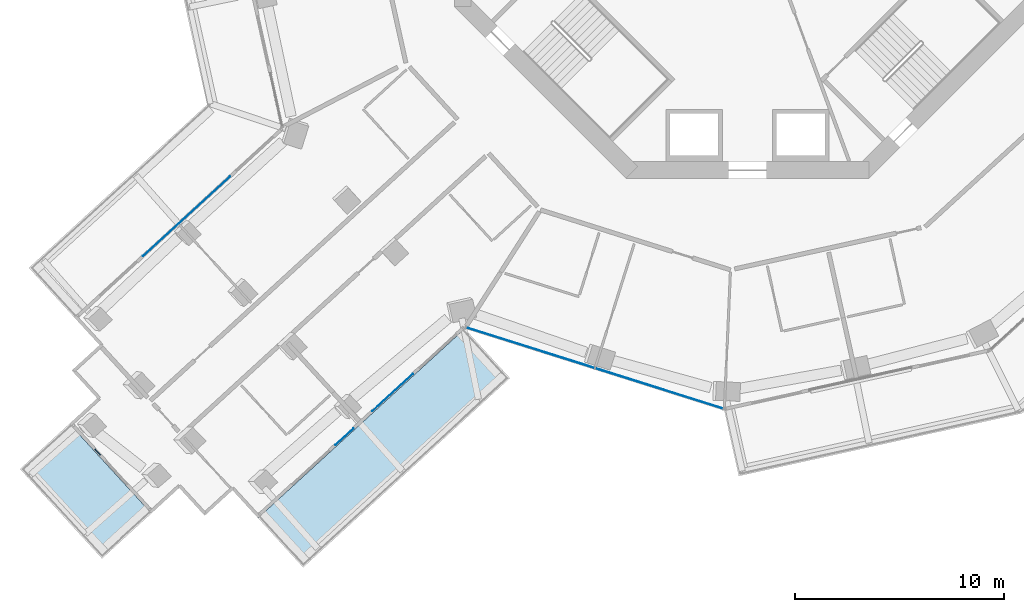
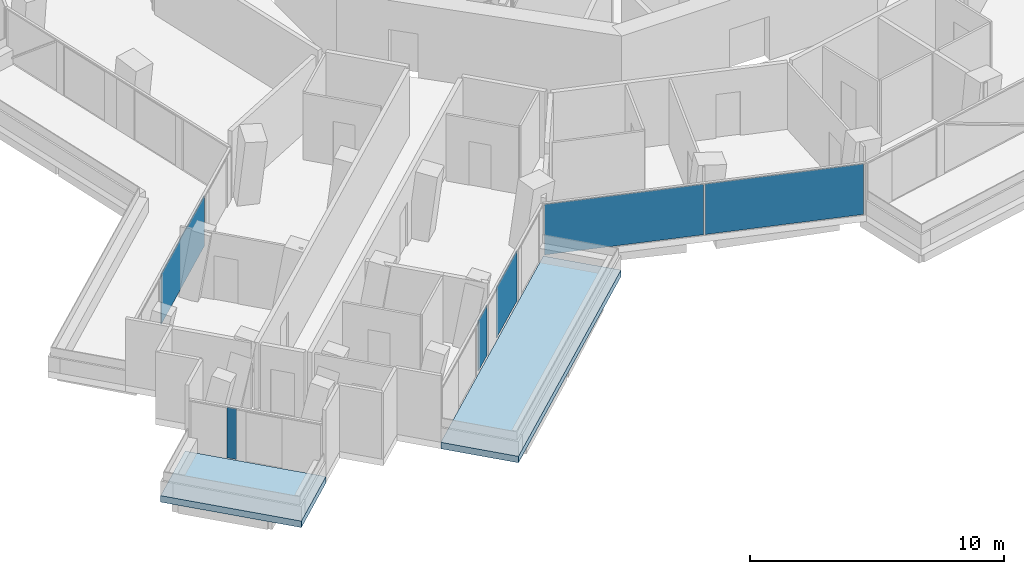
# One storey, part 12 of 24: 6 plates, 2 slabs, 4 elements without a shape of their own.
"""IFC4 building model written with IfcOpenShell, lengths in metres."""

from ifc_helpers import new_model, si_unit, direction, frame, origin, origin_2d, place, context, subcontext, project, spatial, polyline, rectangle, outline, extrude, material, layer, layer_set, type_object, element, aggregate, save


model = new_model("IFC4")

# Units and contexts
model_context = context("Model", 3, precision=1e-05, world=origin(), true_north=direction((0.0, 1.0)))
body_context = subcontext(model_context, "Body", "Model", "MODEL_VIEW")
ifc_project = project(units=[si_unit("LENGTHUNIT", "METRE"), si_unit("AREAUNIT", "SQUARE_METRE"), si_unit("VOLUMEUNIT", "CUBIC_METRE"), si_unit("PLANEANGLEUNIT", "RADIAN"), si_unit("MASSUNIT", "GRAM", prefix="KILO")], contexts=[model_context])

# Site, building, storey
site_placement = place(None, origin())
site = spatial("IfcSite", under=ifc_project, at=site_placement, CompositionType="ELEMENT")
building_placement = place(site_placement, origin())
building = spatial("IfcBuilding", under=site, at=building_placement, Name="Verdalira Terraces Hotel", CompositionType="ELEMENT")
storey_placement = place(building_placement, frame((0.0, 0.0, 86.0)))
storey = spatial("IfcBuildingStorey", under=building, at=storey_placement, Name="L19", CompositionType="ELEMENT", Elevation=86.0)

# Slabs
ifc_material_1 = material(Name="Precast concrete C40/50", Category="concrete")
ifc_layer_1 = layer(ifc_material_1, 0.31005859375)
ifc_layer_set_1 = layer_set([ifc_layer_1], Name="Balcony deck 310")
slab_type = type_object("IfcSlabType", Name="Balcony deck 310", PredefinedType="FLOOR", material=ifc_layer_set_1)
slab_1_placement = place(storey_placement, frame((0.0, 0.0, -0.310059)))
element("IfcSlab", 1, at=slab_1_placement, inside=storey, type_object=slab_type, Name="Balcony deck", PredefinedType="FLOOR", context=body_context, shape_type="SweptSolid", body=[
    extrude(outline(polyline([(-30.821777, -32.155273), (-28.46167, -29.994141), (-32.378662, -25.716797), (-34.73877, -27.877686), (-30.821777, -32.155273)])), origin(), (0.0, 0.0, 1.0), 0.310059),
])
slab_2_placement = place(storey_placement, frame((0.0, 0.0, -0.310059)))
element("IfcSlab", 2, at=slab_2_placement, inside=storey, type_object=slab_type, Name="Balcony deck", PredefinedType="FLOOR", context=body_context, shape_type="SweptSolid", body=[
    extrude(outline(polyline([(-11.340088, -23.536377), (-13.501221, -21.17627), (-23.375488, -30.218018), (-21.214355, -32.578125), (-11.340088, -23.536377)])), origin(), (0.0, 0.0, 1.0), 0.310059),
])

# Curtain wall, plates
ifc_material_2 = material(Name="Clear glass", Category="glass")
ifc_layer_2 = layer(ifc_material_2, 0.14990234375)
ifc_layer_set_2 = layer_set([ifc_layer_2], Name="CW1 curtain wall")
curtain_wall_type_1 = type_object("IfcCurtainWallType", Name="CW1 curtain wall", PredefinedType="NOTDEFINED", material=ifc_layer_set_2)
curtain_wall_1_placement = place(storey_placement, origin())
curtain_wall_1 = element("IfcCurtainWall", 3, at=curtain_wall_1_placement, inside=storey, type_object=curtain_wall_type_1, Name="CW1 curtain wall L19 edge 25", PredefinedType="NOTDEFINED")
ifc_material_3 = material(Name="Clear glass", Category="glass")
ifc_layer_3 = layer(ifc_material_3, 0.028076171875)
ifc_layer_set_3 = layer_set([ifc_layer_3], Name="CW1 glass unit 28")
plate_type_1 = type_object("IfcPlateType", Name="CW1 glass unit 28", PredefinedType="CURTAIN_PANEL", material=ifc_layer_set_3)
plate_1_placement = place(storey_placement, frame((-10.36499, -22.087646, 0.0), z_axis=(0.0, 0.0, 1.0), x_axis=(0.953611927, -0.301038691, 0.0)))
plate_1 = element("IfcPlate", 4, at=plate_1_placement, type_object=plate_type_1, Name="CW1 glass unit", PredefinedType="CURTAIN_PANEL", context=body_context, shape_type="SweptSolid", body=[
    extrude(rectangle(XDim=6.409912, YDim=0.028076, at=origin_2d()), origin(), (0.0, 0.0, 1.0), 2.425049),
])
plate_2_placement = place(storey_placement, frame((-4.214355, -24.029297, 0.0), z_axis=(0.0, 0.0, 1.0), x_axis=(0.953611927, -0.301038691, 0.0)))
plate_2 = element("IfcPlate", 5, at=plate_2_placement, type_object=plate_type_1, Name="CW1 glass unit", PredefinedType="CURTAIN_PANEL", context=body_context, shape_type="SweptSolid", body=[
    extrude(rectangle(XDim=6.369873, YDim=0.028076, at=origin_2d()), origin(), (0.0, 0.0, 1.0), 2.425049),
])
aggregate(curtain_wall_1, [plate_1, plate_2])

# Curtain wall, plate
ifc_material_4 = material(Name="Clear glass", Category="glass")
ifc_layer_4 = layer(ifc_material_4, 0.14990234375)
ifc_layer_set_4 = layer_set([ifc_layer_4], Name="CW2 curtain wall")
curtain_wall_type_2 = type_object("IfcCurtainWallType", Name="CW2 curtain wall", PredefinedType="NOTDEFINED", material=ifc_layer_set_4)
curtain_wall_2_placement = place(storey_placement, origin())
curtain_wall_2 = element("IfcCurtainWall", 6, at=curtain_wall_2_placement, inside=storey, type_object=curtain_wall_type_2, Name="CW2 curtain wall L19 edge 14", PredefinedType="NOTDEFINED")
ifc_material_5 = material(Name="Clear glass", Category="glass")
ifc_layer_5 = layer(ifc_material_5, 0.031982421875)
ifc_layer_set_5 = layer_set([ifc_layer_5], Name="CW2 glass unit 32")
plate_type_2 = type_object("IfcPlateType", Name="CW2 glass unit 32", PredefinedType="CURTAIN_PANEL", material=ifc_layer_set_5)
plate_3_placement = place(storey_placement, frame((-26.783447, -15.813721, 0.0), z_axis=(0.0, 0.0, 1.0), x_axis=(-0.737513117, -0.675332808, 0.0)))
plate_3 = element("IfcPlate", 7, at=plate_3_placement, type_object=plate_type_2, Name="CW2 glass unit", PredefinedType="CURTAIN_PANEL", context=body_context, shape_type="SweptSolid", body=[
    extrude(rectangle(XDim=5.621338, YDim=0.031982, at=origin_2d()), origin(), (0.0, 0.0, 1.0), 2.425049),
])
aggregate(curtain_wall_2, [plate_3])

# Curtain wall, plates
curtain_wall_3_placement = place(storey_placement, origin())
curtain_wall_3 = element("IfcCurtainWall", 8, at=curtain_wall_3_placement, inside=storey, type_object=curtain_wall_type_2, Name="CW2 curtain wall L19 edge 24", PredefinedType="NOTDEFINED")
plate_4_placement = place(storey_placement, frame((-19.245605, -26.334717, 0.0), z_axis=(0.0, 0.0, 1.0), x_axis=(0.737513117, 0.675332808, 0.0)))
plate_4 = element("IfcPlate", 9, at=plate_4_placement, type_object=plate_type_2, Name="CW2 glass unit", PredefinedType="CURTAIN_PANEL", context=body_context, shape_type="SweptSolid", body=[
    extrude(rectangle(XDim=1.151855, YDim=0.031982, at=origin_2d()), origin(), (0.0, 0.0, 1.0), 2.425049),
])
plate_5_placement = place(storey_placement, frame((-16.94043, -24.223877, 0.0), z_axis=(0.0, 0.0, 1.0), x_axis=(0.737513117, 0.675332808, 0.0)))
plate_5 = element("IfcPlate", 10, at=plate_5_placement, type_object=plate_type_2, Name="CW2 glass unit", PredefinedType="CURTAIN_PANEL", context=body_context, shape_type="SweptSolid", body=[
    extrude(rectangle(XDim=2.649414, YDim=0.031982, at=origin_2d()), origin(), (0.0, 0.0, 1.0), 2.425049),
])
aggregate(curtain_wall_3, [plate_4, plate_5])

# Curtain wall, plate
ifc_material_6 = material(Name="Clear glass", Category="glass")
ifc_layer_6 = layer(ifc_material_6, 0.14990234375)
ifc_layer_set_6 = layer_set([ifc_layer_6], Name="CW3 curtain wall")
curtain_wall_type_3 = type_object("IfcCurtainWallType", Name="CW3 curtain wall", PredefinedType="NOTDEFINED", material=ifc_layer_set_6)
curtain_wall_4_placement = place(storey_placement, origin())
curtain_wall_4 = element("IfcCurtainWall", 11, at=curtain_wall_4_placement, inside=storey, type_object=curtain_wall_type_3, Name="CW3 curtain wall L19 edge 19", PredefinedType="NOTDEFINED")
ifc_material_7 = material(Name="Clear glass", Category="glass")
ifc_layer_7 = layer(ifc_material_7, 0.035888671875)
ifc_layer_set_7 = layer_set([ifc_layer_7], Name="CW3 glass unit 36")
plate_type_3 = type_object("IfcPlateType", Name="CW3 glass unit 36", PredefinedType="CURTAIN_PANEL", material=ifc_layer_set_7)
plate_6_placement = place(storey_placement, frame((-31.036133, -27.071777, 0.0), z_axis=(0.0, 0.0, 1.0), x_axis=(0.675332808, -0.737513117, 0.0)))
plate_6 = element("IfcPlate", 12, at=plate_6_placement, type_object=plate_type_3, Name="CW3 glass unit", PredefinedType="CURTAIN_PANEL", context=body_context, shape_type="SweptSolid", body=[
    extrude(rectangle(XDim=0.387695, YDim=0.035889, at=origin_2d()), origin(), (0.0, 0.0, 1.0), 2.425049),
])
aggregate(curtain_wall_4, [plate_6])

save(model, "model.ifc")
